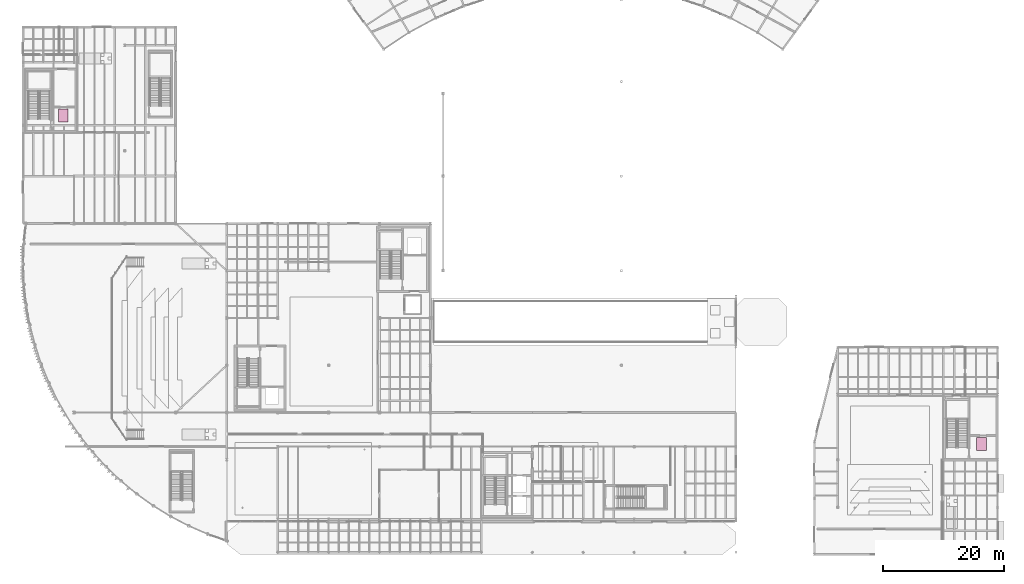
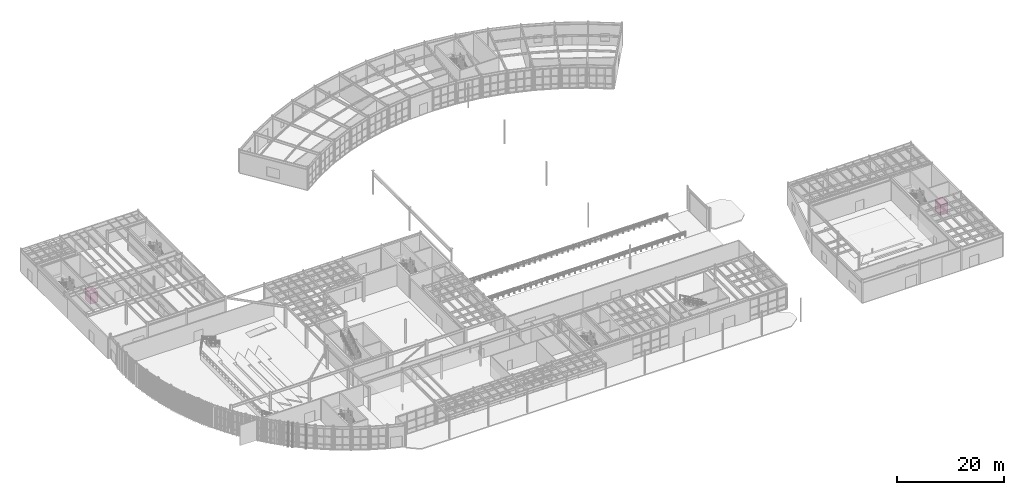
# One storey, part 87 of 87: 2 transport elements.
"""IFC4 building model written with IfcOpenShell, lengths in metres."""

from ifc_helpers import new_model, si_unit, direction, frame, origin, origin_2d, place, context, subcontext, project, spatial, rectangle, extrude, material, type_object, element, save


model = new_model("IFC4")

# Units and contexts
model_context = context("Model", 3, precision=1e-05, world=origin(), true_north=direction((0.0, 1.0)))
body_context = subcontext(model_context, "Body", "Model", "MODEL_VIEW")
ifc_project = project(units=[si_unit("LENGTHUNIT", "METRE"), si_unit("AREAUNIT", "SQUARE_METRE"), si_unit("VOLUMEUNIT", "CUBIC_METRE"), si_unit("PLANEANGLEUNIT", "RADIAN"), si_unit("MASSUNIT", "GRAM", prefix="KILO")], contexts=[model_context])

# Site, building, storey
site_placement = place(None, origin())
site = spatial("IfcSite", under=ifc_project, at=site_placement, CompositionType="ELEMENT")
building_placement = place(site_placement, origin())
building = spatial("IfcBuilding", under=site, at=building_placement, Name="Selat Folded Stagehouse", CompositionType="ELEMENT")
storey_placement = place(building_placement, origin())
storey = spatial("IfcBuildingStorey", under=building, at=storey_placement, Name="L00", CompositionType="ELEMENT", Elevation=0.0)

# Transport elements
ifc_material = material(Name="Brushed bronze and stainless passenger car", Category="steel")
transport_element_type = type_object("IfcTransportElementType", Name="LFT-PASS-1600x2100", PredefinedType="ELEVATOR", material=ifc_material)
for number, where, z_axis, x_axis, name in (
    (1, (158.10009765625, 18.199951171875, 0.0), (0.0, 0.0, 1.0), (1.0, 0.0, 0.0), "Studio Passenger Lift PL-03"),
    (2, (6.64990234375, 72.39990234375, 0.0), (0.0, 0.0, 1.0), (1.0, 0.0, 0.0), "Black-Box Passenger Lift PL-04"),
):
    element("IfcTransportElement", number, at=place(storey_placement, frame(where, z_axis=z_axis, x_axis=x_axis)), inside=storey, type_object=transport_element_type, Name=name, PredefinedType="ELEVATOR", context=body_context, shape_type="SweptSolid", body=[
        extrude(rectangle(XDim=1.60009765625, YDim=2.10009765625, at=origin_2d()), origin(), (0.0, 0.0, 1.0), 2.39990234375),
    ])

save(model, "model.ifc")
